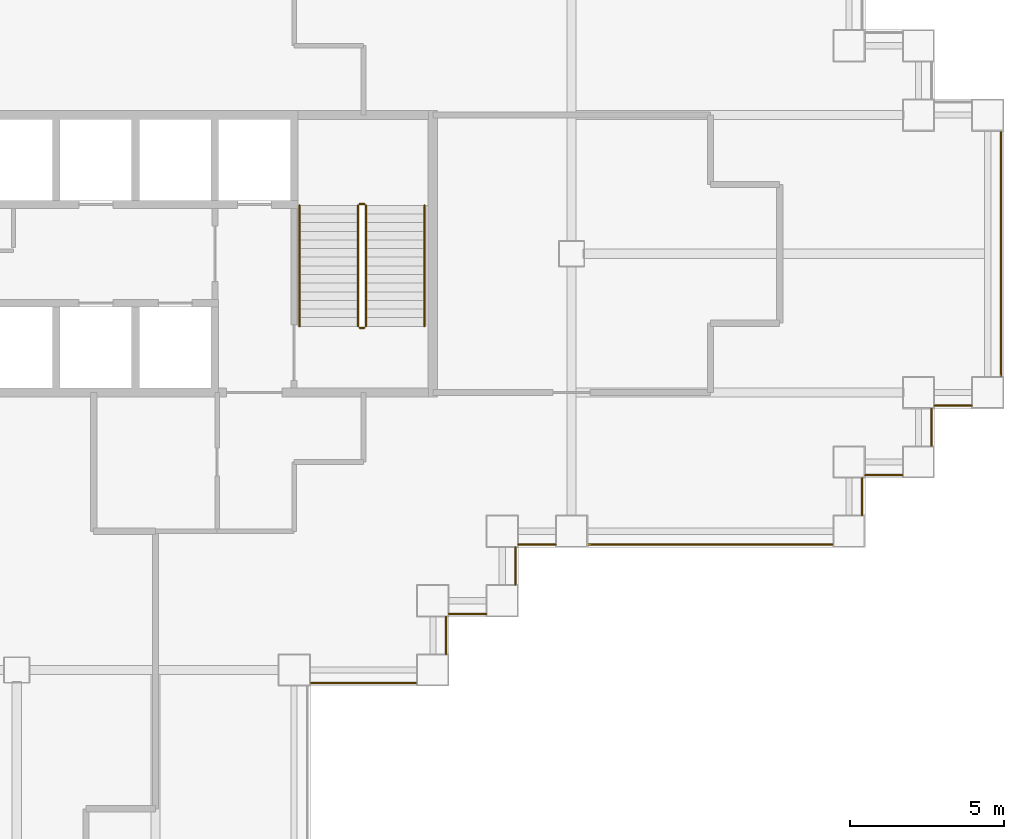
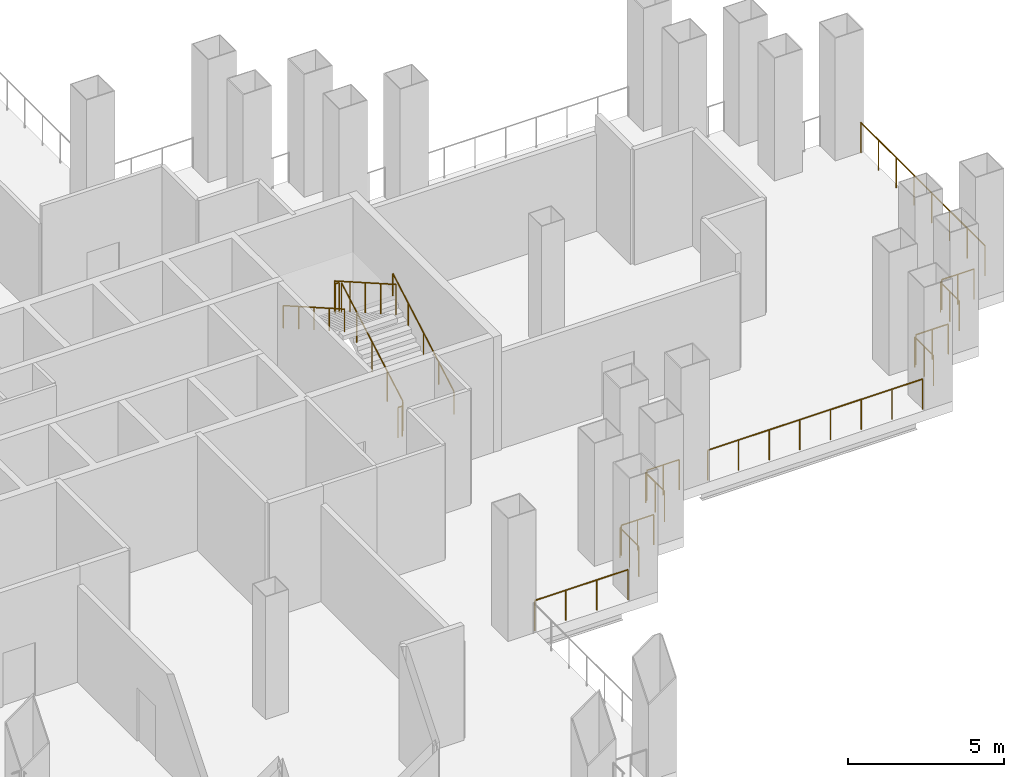
# One storey, part 9 of 10: 17 railings.
"""IFC4 building model written with IfcOpenShell, lengths in metres."""

from ifc_helpers import new_model, si_unit, direction, frame, origin, origin_2d, place, context, subcontext, project, spatial, circle, extrude, material, type_object, element, save


model = new_model("IFC4")

# Units and contexts
model_context = context("Model", 3, precision=1e-05, world=origin(), true_north=direction((0.0, 1.0)))
body_context = subcontext(model_context, "Body", "Model", "MODEL_VIEW")
ifc_project = project(units=[si_unit("LENGTHUNIT", "METRE"), si_unit("AREAUNIT", "SQUARE_METRE"), si_unit("VOLUMEUNIT", "CUBIC_METRE"), si_unit("PLANEANGLEUNIT", "RADIAN"), si_unit("MASSUNIT", "GRAM", prefix="KILO")], contexts=[model_context])

# Site, building, storey
site_placement = place(None, origin())
site = spatial("IfcSite", under=ifc_project, at=site_placement, CompositionType="ELEMENT")
building_placement = place(site_placement, origin())
building = spatial("IfcBuilding", under=site, at=building_placement, Name="Caravel Reach Hotel and Residences", CompositionType="ELEMENT")
storey_placement = place(building_placement, frame((0.0, 0.0, 48.0)))
storey = spatial("IfcBuildingStorey", under=building, at=storey_placement, Name="L10", CompositionType="ELEMENT", Elevation=48.0)

# Railings
ifc_material_1 = material(Name="Stainless steel S30408", Category="steel")
railing_type_1 = type_object("IfcRailingType", Name="G1 Guard 1200 stainless", PredefinedType="GUARDRAIL", material=ifc_material_1)
railing_1_placement = place(storey_placement, frame((41.02490234375, 13.074951171875, 0.0)))
element("IfcRailing", 1, at=railing_1_placement, inside=storey, type_object=railing_type_1, Name="Guard L10 11.1", PredefinedType="GUARDRAIL", context=body_context, shape_type="SweptSolid", body=[
    extrude(circle(Radius=0.02392578125, at=origin_2d()), frame((0.0, 0.0, 1.17578125), z_axis=(1.0, 0.0, 0.0), x_axis=(0.0, 1.0, 0.0)), (0.0, 0.0, 1.0), 3.4501953125),
    extrude(circle(Radius=0.02099609375, at=origin_2d()), origin(), (0.0, 0.0, 1.0), 1.15185546875),
    extrude(circle(Radius=0.02099609375, at=origin_2d()), frame((1.150146484375, 0.0, 0.0)), (0.0, 0.0, 1.0), 1.15185546875),
    extrude(circle(Radius=0.02099609375, at=origin_2d()), frame((2.300048828125, 0.0, 0.0)), (0.0, 0.0, 1.0), 1.15185546875),
    extrude(circle(Radius=0.02099609375, at=origin_2d()), frame((3.4501953125, 0.0, 0.0)), (0.0, 0.0, 1.0), 1.15185546875),
])
railing_2_placement = place(storey_placement, frame((45.425048828125, 14.02490234375, 0.0)))
element("IfcRailing", 2, at=railing_2_placement, inside=storey, type_object=railing_type_1, Name="Guard L10 12.1", PredefinedType="GUARDRAIL", context=body_context, shape_type="SweptSolid", body=[
    extrude(circle(Radius=0.02392578125, at=origin_2d()), frame((0.0, 0.0, 1.17578125), z_axis=(0.0, 1.0, 0.0), x_axis=(-1.0, 0.0, 0.0)), (0.0, 0.0, 1.0), 1.2001953125),
    extrude(circle(Radius=0.02099609375, at=origin_2d()), origin(), (0.0, 0.0, 1.0), 1.15185546875),
    extrude(circle(Radius=0.02099609375, at=origin_2d()), frame((0.0, 0.60009765625, 0.0)), (0.0, 0.0, 1.0), 1.15185546875),
    extrude(circle(Radius=0.02099609375, at=origin_2d()), frame((0.0, 1.2001953125, 0.0)), (0.0, 0.0, 1.0), 1.15185546875),
])
railing_3_placement = place(storey_placement, frame((45.52490234375, 15.324951171875, 0.0)))
element("IfcRailing", 3, at=railing_3_placement, inside=storey, type_object=railing_type_1, Name="Guard L10 13.1", PredefinedType="GUARDRAIL", context=body_context, shape_type="SweptSolid", body=[
    extrude(circle(Radius=0.02392578125, at=origin_2d()), frame((0.0, 0.0, 1.17578125), z_axis=(1.0, 0.0, 0.0), x_axis=(0.0, 1.0, 0.0)), (0.0, 0.0, 1.0), 1.2001953125),
    extrude(circle(Radius=0.02099609375, at=origin_2d()), origin(), (0.0, 0.0, 1.0), 1.15185546875),
    extrude(circle(Radius=0.02099609375, at=origin_2d()), frame((0.60009765625, 0.0, 0.0)), (0.0, 0.0, 1.0), 1.15185546875),
    extrude(circle(Radius=0.02099609375, at=origin_2d()), frame((1.2001953125, 0.0, 0.0)), (0.0, 0.0, 1.0), 1.15185546875),
])
railing_4_placement = place(storey_placement, frame((47.675048828125, 16.27490234375, 0.0)))
element("IfcRailing", 4, at=railing_4_placement, inside=storey, type_object=railing_type_1, Name="Guard L10 14.1", PredefinedType="GUARDRAIL", context=body_context, shape_type="SweptSolid", body=[
    extrude(circle(Radius=0.02392578125, at=origin_2d()), frame((0.0, 0.0, 1.17578125), z_axis=(0.0, 1.0, 0.0), x_axis=(-1.0, 0.0, 0.0)), (0.0, 0.0, 1.0), 1.2001953125),
    extrude(circle(Radius=0.02099609375, at=origin_2d()), origin(), (0.0, 0.0, 1.0), 1.15185546875),
    extrude(circle(Radius=0.02099609375, at=origin_2d()), frame((0.0, 0.60009765625, 0.0)), (0.0, 0.0, 1.0), 1.15185546875),
    extrude(circle(Radius=0.02099609375, at=origin_2d()), frame((0.0, 1.2001953125, 0.0)), (0.0, 0.0, 1.0), 1.15185546875),
])
railing_5_placement = place(storey_placement, frame((47.77490234375, 17.574951171875, 0.0)))
element("IfcRailing", 5, at=railing_5_placement, inside=storey, type_object=railing_type_1, Name="Guard L10 15.1", PredefinedType="GUARDRAIL", context=body_context, shape_type="SweptSolid", body=[
    extrude(circle(Radius=0.02392578125, at=origin_2d()), frame((0.0, 0.0, 1.17578125), z_axis=(1.0, 0.0, 0.0), x_axis=(0.0, 1.0, 0.0)), (0.0, 0.0, 1.0), 1.2001953125),
    extrude(circle(Radius=0.02099609375, at=origin_2d()), origin(), (0.0, 0.0, 1.0), 1.15185546875),
    extrude(circle(Radius=0.02099609375, at=origin_2d()), frame((0.60009765625, 0.0, 0.0)), (0.0, 0.0, 1.0), 1.15185546875),
    extrude(circle(Radius=0.02099609375, at=origin_2d()), frame((1.2001953125, 0.0, 0.0)), (0.0, 0.0, 1.0), 1.15185546875),
])
railing_6_placement = place(storey_placement, frame((50.02490234375, 17.574951171875, 0.0)))
element("IfcRailing", 6, at=railing_6_placement, inside=storey, type_object=railing_type_1, Name="Guard L10 15.2", PredefinedType="GUARDRAIL", context=body_context, shape_type="SweptSolid", body=[
    extrude(circle(Radius=0.02392578125, at=origin_2d()), frame((0.0, 0.0, 1.17578125), z_axis=(1.0, 0.0, 0.0), x_axis=(0.0, 1.0, 0.0)), (0.0, 0.0, 1.0), 7.9501953125),
    extrude(circle(Radius=0.02099609375, at=origin_2d()), origin(), (0.0, 0.0, 1.0), 1.15185546875),
    extrude(circle(Radius=0.02099609375, at=origin_2d()), frame((1.1357421875, 0.0, 0.0)), (0.0, 0.0, 1.0), 1.15185546875),
    extrude(circle(Radius=0.02099609375, at=origin_2d()), frame((2.271484375, 0.0, 0.0)), (0.0, 0.0, 1.0), 1.15185546875),
    extrude(circle(Radius=0.02099609375, at=origin_2d()), frame((3.4072265625, 0.0, 0.0)), (0.0, 0.0, 1.0), 1.15185546875),
    extrude(circle(Radius=0.02099609375, at=origin_2d()), frame((4.54296875, 0.0, 0.0)), (0.0, 0.0, 1.0), 1.15185546875),
    extrude(circle(Radius=0.02099609375, at=origin_2d()), frame((5.6787109375, 0.0, 0.0)), (0.0, 0.0, 1.0), 1.15185546875),
    extrude(circle(Radius=0.02099609375, at=origin_2d()), frame((6.814453125, 0.0, 0.0)), (0.0, 0.0, 1.0), 1.15185546875),
    extrude(circle(Radius=0.02099609375, at=origin_2d()), frame((7.9501953125, 0.0, 0.0)), (0.0, 0.0, 1.0), 1.15185546875),
])
railing_7_placement = place(storey_placement, frame((58.925048828125, 18.52490234375, 0.0)))
element("IfcRailing", 7, at=railing_7_placement, inside=storey, type_object=railing_type_1, Name="Guard L10 16.1", PredefinedType="GUARDRAIL", context=body_context, shape_type="SweptSolid", body=[
    extrude(circle(Radius=0.02392578125, at=origin_2d()), frame((0.0, 0.0, 1.17578125), z_axis=(0.0, 1.0, 0.0), x_axis=(-1.0, 0.0, 0.0)), (0.0, 0.0, 1.0), 1.2001953125),
    extrude(circle(Radius=0.02099609375, at=origin_2d()), origin(), (0.0, 0.0, 1.0), 1.15185546875),
    extrude(circle(Radius=0.02099609375, at=origin_2d()), frame((0.0, 0.60009765625, 0.0)), (0.0, 0.0, 1.0), 1.15185546875),
    extrude(circle(Radius=0.02099609375, at=origin_2d()), frame((0.0, 1.2001953125, 0.0)), (0.0, 0.0, 1.0), 1.15185546875),
])
railing_8_placement = place(storey_placement, frame((59.02490234375, 19.824951171875, 0.0)))
element("IfcRailing", 8, at=railing_8_placement, inside=storey, type_object=railing_type_1, Name="Guard L10 17.1", PredefinedType="GUARDRAIL", context=body_context, shape_type="SweptSolid", body=[
    extrude(circle(Radius=0.02392578125, at=origin_2d()), frame((0.0, 0.0, 1.17578125), z_axis=(1.0, 0.0, 0.0), x_axis=(0.0, 1.0, 0.0)), (0.0, 0.0, 1.0), 1.2001953125),
    extrude(circle(Radius=0.02099609375, at=origin_2d()), origin(), (0.0, 0.0, 1.0), 1.15185546875),
    extrude(circle(Radius=0.02099609375, at=origin_2d()), frame((0.60009765625, 0.0, 0.0)), (0.0, 0.0, 1.0), 1.15185546875),
    extrude(circle(Radius=0.02099609375, at=origin_2d()), frame((1.2001953125, 0.0, 0.0)), (0.0, 0.0, 1.0), 1.15185546875),
])
railing_9_placement = place(storey_placement, frame((61.175048828125, 20.77490234375, 0.0)))
element("IfcRailing", 9, at=railing_9_placement, inside=storey, type_object=railing_type_1, Name="Guard L10 18.1", PredefinedType="GUARDRAIL", context=body_context, shape_type="SweptSolid", body=[
    extrude(circle(Radius=0.02392578125, at=origin_2d()), frame((0.0, 0.0, 1.17578125), z_axis=(0.0, 1.0, 0.0), x_axis=(-1.0, 0.0, 0.0)), (0.0, 0.0, 1.0), 1.2001953125),
    extrude(circle(Radius=0.02099609375, at=origin_2d()), origin(), (0.0, 0.0, 1.0), 1.15185546875),
    extrude(circle(Radius=0.02099609375, at=origin_2d()), frame((0.0, 0.60009765625, 0.0)), (0.0, 0.0, 1.0), 1.15185546875),
    extrude(circle(Radius=0.02099609375, at=origin_2d()), frame((0.0, 1.2001953125, 0.0)), (0.0, 0.0, 1.0), 1.15185546875),
])
railing_10_placement = place(storey_placement, frame((61.27490234375, 22.074951171875, 0.0)))
element("IfcRailing", 10, at=railing_10_placement, inside=storey, type_object=railing_type_1, Name="Guard L10 19.1", PredefinedType="GUARDRAIL", context=body_context, shape_type="SweptSolid", body=[
    extrude(circle(Radius=0.02392578125, at=origin_2d()), frame((0.0, 0.0, 1.17578125), z_axis=(1.0, 0.0, 0.0), x_axis=(0.0, 1.0, 0.0)), (0.0, 0.0, 1.0), 1.2001953125),
    extrude(circle(Radius=0.02099609375, at=origin_2d()), origin(), (0.0, 0.0, 1.0), 1.15185546875),
    extrude(circle(Radius=0.02099609375, at=origin_2d()), frame((0.60009765625, 0.0, 0.0)), (0.0, 0.0, 1.0), 1.15185546875),
    extrude(circle(Radius=0.02099609375, at=origin_2d()), frame((1.2001953125, 0.0, 0.0)), (0.0, 0.0, 1.0), 1.15185546875),
])
railing_11_placement = place(storey_placement, frame((63.425048828125, 23.02490234375, 0.0)))
element("IfcRailing", 11, at=railing_11_placement, inside=storey, type_object=railing_type_1, Name="Guard L10 20.1", PredefinedType="GUARDRAIL", context=body_context, shape_type="SweptSolid", body=[
    extrude(circle(Radius=0.02392578125, at=origin_2d()), frame((0.0, 0.0, 1.17578125), z_axis=(0.0, 1.0, 0.0), x_axis=(-1.0, 0.0, 0.0)), (0.0, 0.0, 1.0), 7.9501953125),
    extrude(circle(Radius=0.02099609375, at=origin_2d()), origin(), (0.0, 0.0, 1.0), 1.15185546875),
    extrude(circle(Radius=0.02099609375, at=origin_2d()), frame((0.0, 1.1357421875, 0.0)), (0.0, 0.0, 1.0), 1.15185546875),
    extrude(circle(Radius=0.02099609375, at=origin_2d()), frame((0.0, 2.271484375, 0.0)), (0.0, 0.0, 1.0), 1.15185546875),
    extrude(circle(Radius=0.02099609375, at=origin_2d()), frame((0.0, 3.4072265625, 0.0)), (0.0, 0.0, 1.0), 1.15185546875),
    extrude(circle(Radius=0.02099609375, at=origin_2d()), frame((0.0, 4.54296875, 0.0)), (0.0, 0.0, 1.0), 1.15185546875),
    extrude(circle(Radius=0.02099609375, at=origin_2d()), frame((0.0, 5.6787109375, 0.0)), (0.0, 0.0, 1.0), 1.15185546875),
    extrude(circle(Radius=0.02099609375, at=origin_2d()), frame((0.0, 6.814453125, 0.0)), (0.0, 0.0, 1.0), 1.15185546875),
    extrude(circle(Radius=0.02099609375, at=origin_2d()), frame((0.0, 7.9501953125, 0.0)), (0.0, 0.0, 1.0), 1.15185546875),
])
ifc_material_2 = material(Name="Steel balustrade with glass infill", Category="steel")
railing_type_2 = type_object("IfcRailingType", Name="Guard 1200", PredefinedType="GUARDRAIL", material=ifc_material_2)
railing_12_placement = place(storey_placement, frame((42.824951171875, 24.64990234375, 0.159912109375)))
element("IfcRailing", 12, at=railing_12_placement, inside=storey, type_object=railing_type_2, Name="L10 ST-B stair guard 1", PredefinedType="GUARDRAIL", context=body_context, shape_type="SweptSolid", body=[
    extrude(circle(Radius=0.02392578125, at=origin_2d()), frame((0.0, 0.0, 1.17578125), z_axis=(0.0, 0.86825312469, 0.496121468458), x_axis=(-1.0, 0.0, 0.0)), (0.0, 0.0, 1.0), 4.514892578125),
    extrude(circle(Radius=0.02099609375, at=origin_2d()), origin(), (0.0, 0.0, 1.0), 1.15185546875),
    extrude(circle(Radius=0.02099609375, at=origin_2d()), frame((0.0, 0.97998046875, 0.56005859375)), (0.0, 0.0, 1.0), 1.15185546875),
    extrude(circle(Radius=0.02099609375, at=origin_2d()), frame((0.0, 1.9599609375, 1.1201171875)), (0.0, 0.0, 1.0), 1.15185546875),
    extrude(circle(Radius=0.02099609375, at=origin_2d()), frame((0.0, 2.940185546875, 1.679931640625)), (0.0, 0.0, 1.0), 1.15185546875),
    extrude(circle(Radius=0.02099609375, at=origin_2d()), frame((0.0, 3.920166015625, 2.239990234375)), (0.0, 0.0, 1.0), 1.15185546875),
])
railing_13_placement = place(storey_placement, frame((42.77490234375, 28.6201171875, 2.39990234375)))
element("IfcRailing", 13, at=railing_13_placement, inside=storey, type_object=railing_type_2, Name="L10 ST-B stair guard 2", PredefinedType="GUARDRAIL", context=body_context, shape_type="SweptSolid", body=[
    extrude(circle(Radius=0.02392578125, at=origin_2d()), frame((0.0, 0.0, 1.17578125), z_axis=(-1.0, 0.0, 0.0), x_axis=(0.0, -1.0, 0.0)), (0.0, 0.0, 1.0), 0.14990234375),
    extrude(circle(Radius=0.02099609375, at=origin_2d()), origin(), (0.0, 0.0, 1.0), 1.15185546875),
    extrude(circle(Radius=0.02099609375, at=origin_2d()), frame((-0.14990234375, 0.0, 0.0)), (0.0, 0.0, 1.0), 1.15185546875),
])
railing_14_placement = place(storey_placement, frame((42.574951171875, 28.570068359375, 2.56005859375)))
element("IfcRailing", 14, at=railing_14_placement, inside=storey, type_object=railing_type_2, Name="L10 ST-B stair guard 3", PredefinedType="GUARDRAIL", context=body_context, shape_type="SweptSolid", body=[
    extrude(circle(Radius=0.02392578125, at=origin_2d()), frame((0.0, 0.0, 1.17578125), z_axis=(0.0, -0.86825312469, 0.496121468458), x_axis=(1.0, 0.0, 0.0)), (0.0, 0.0, 1.0), 4.514892578125),
    extrude(circle(Radius=0.02099609375, at=origin_2d()), origin(), (0.0, 0.0, 1.0), 1.15185546875),
    extrude(circle(Radius=0.02099609375, at=origin_2d()), frame((0.0, -0.97998046875, 0.56005859375)), (0.0, 0.0, 1.0), 1.15185546875),
    extrude(circle(Radius=0.02099609375, at=origin_2d()), frame((0.0, -1.9599609375, 1.1201171875)), (0.0, 0.0, 1.0), 1.15185546875),
    extrude(circle(Radius=0.02099609375, at=origin_2d()), frame((0.0, -2.940185546875, 1.679931640625)), (0.0, 0.0, 1.0), 1.15185546875),
    extrude(circle(Radius=0.02099609375, at=origin_2d()), frame((0.0, -3.920166015625, 2.239990234375)), (0.0, 0.0, 1.0), 1.15185546875),
])
railing_15_placement = place(storey_placement, frame((42.77490234375, 24.60009765625, 0.0)))
element("IfcRailing", 15, at=railing_15_placement, inside=storey, type_object=railing_type_2, Name="L10 ST-B stair guard 4", PredefinedType="GUARDRAIL", context=body_context, shape_type="SweptSolid", body=[
    extrude(circle(Radius=0.02392578125, at=origin_2d()), frame((0.0, 0.0, 1.17578125), z_axis=(-1.0, 0.0, 0.0), x_axis=(0.0, -1.0, 0.0)), (0.0, 0.0, 1.0), 0.14990234375),
    extrude(circle(Radius=0.02099609375, at=origin_2d()), origin(), (0.0, 0.0, 1.0), 1.15185546875),
    extrude(circle(Radius=0.02099609375, at=origin_2d()), frame((-0.14990234375, 0.0, 0.0)), (0.0, 0.0, 1.0), 1.15185546875),
])
ifc_material_3 = material(Name="Stainless steel handrail", Category="steel")
railing_type_3 = type_object("IfcRailingType", Name="Handrail 900", PredefinedType="HANDRAIL", material=ifc_material_3)
railing_16_placement = place(storey_placement, frame((44.72509765625, 24.64990234375, 0.159912109375)))
element("IfcRailing", 16, at=railing_16_placement, inside=storey, type_object=railing_type_3, Name="L10 ST-B stair handrail 1", PredefinedType="HANDRAIL", context=body_context, shape_type="SweptSolid", body=[
    extrude(circle(Radius=0.02392578125, at=origin_2d()), frame((0.0, 0.0, 0.8759765625), z_axis=(0.0, 0.86825312469, 0.496121468458), x_axis=(-1.0, 0.0, 0.0)), (0.0, 0.0, 1.0), 4.514892578125),
    extrude(circle(Radius=0.02099609375, at=origin_2d()), origin(), (0.0, 0.0, 1.0), 0.851806640625),
    extrude(circle(Radius=0.02099609375, at=origin_2d()), frame((0.0, 0.97998046875, 0.56005859375)), (0.0, 0.0, 1.0), 0.851806640625),
    extrude(circle(Radius=0.02099609375, at=origin_2d()), frame((0.0, 1.9599609375, 1.1201171875)), (0.0, 0.0, 1.0), 0.851806640625),
    extrude(circle(Radius=0.02099609375, at=origin_2d()), frame((0.0, 2.940185546875, 1.679931640625)), (0.0, 0.0, 1.0), 0.851806640625),
    extrude(circle(Radius=0.02099609375, at=origin_2d()), frame((0.0, 3.920166015625, 2.239990234375)), (0.0, 0.0, 1.0), 0.851806640625),
])
railing_17_placement = place(storey_placement, frame((40.675048828125, 28.570068359375, 2.56005859375)))
element("IfcRailing", 17, at=railing_17_placement, inside=storey, type_object=railing_type_3, Name="L10 ST-B stair handrail 2", PredefinedType="HANDRAIL", context=body_context, shape_type="SweptSolid", body=[
    extrude(circle(Radius=0.02392578125, at=origin_2d()), frame((0.0, 0.0, 0.8759765625), z_axis=(0.0, -0.86825312469, 0.496121468458), x_axis=(1.0, 0.0, 0.0)), (0.0, 0.0, 1.0), 4.514892578125),
    extrude(circle(Radius=0.02099609375, at=origin_2d()), origin(), (0.0, 0.0, 1.0), 0.851806640625),
    extrude(circle(Radius=0.02099609375, at=origin_2d()), frame((0.0, -0.97998046875, 0.56005859375)), (0.0, 0.0, 1.0), 0.851806640625),
    extrude(circle(Radius=0.02099609375, at=origin_2d()), frame((0.0, -1.9599609375, 1.1201171875)), (0.0, 0.0, 1.0), 0.851806640625),
    extrude(circle(Radius=0.02099609375, at=origin_2d()), frame((0.0, -2.940185546875, 1.679931640625)), (0.0, 0.0, 1.0), 0.851806640625),
    extrude(circle(Radius=0.02099609375, at=origin_2d()), frame((0.0, -3.920166015625, 2.239990234375)), (0.0, 0.0, 1.0), 0.851806640625),
])

save(model, "model.ifc")
